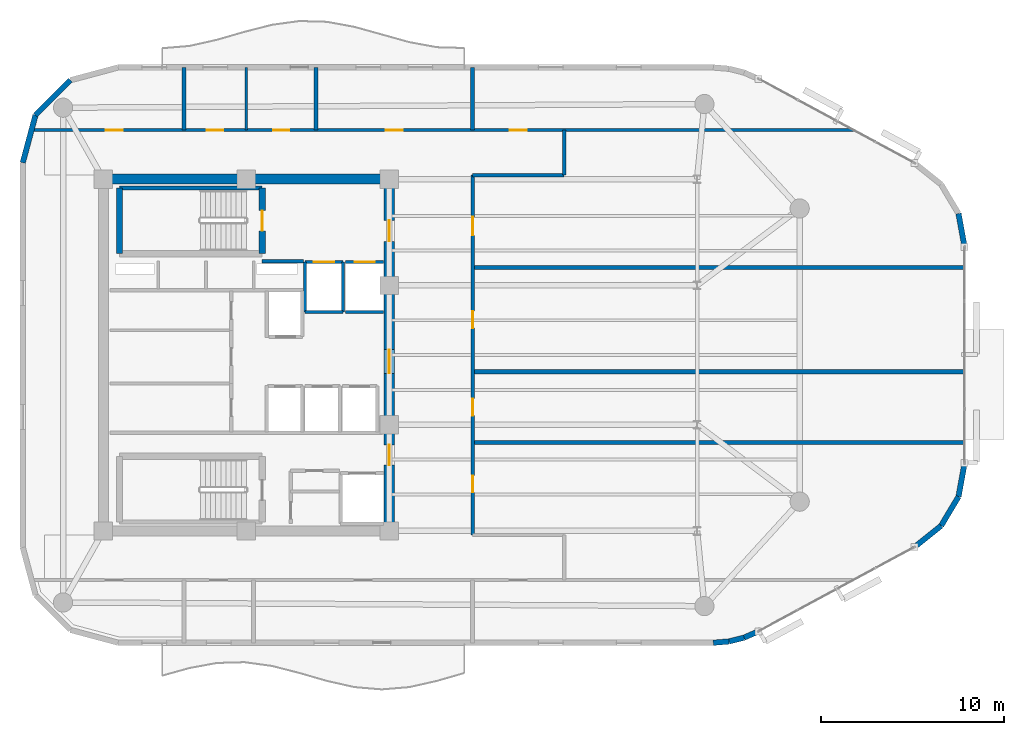
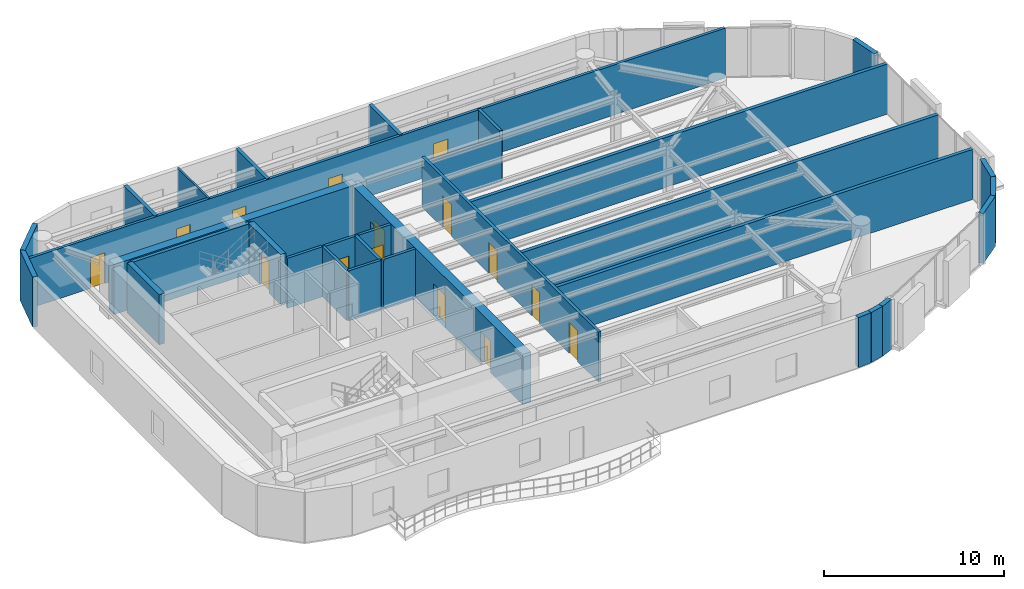
# One storey, part 10 of 13: 32 walls, 15 doors, 15 openings.
"""IFC4 building model written with IfcOpenShell, lengths in metres."""

from ifc_helpers import new_model, si_unit, direction, frame, frame_2d, origin, place, context, subcontext, project, spatial, rectangle, extrude, material, layer, layer_set, type_object, element, fill, save


model = new_model("IFC4")

# Units and contexts
model_context = context("Model", 3, precision=1e-05, world=origin(), true_north=direction((0.0, 1.0)))
body_context = subcontext(model_context, "Body", "Model", "MODEL_VIEW")
ifc_project = project(units=[si_unit("LENGTHUNIT", "METRE"), si_unit("AREAUNIT", "SQUARE_METRE"), si_unit("VOLUMEUNIT", "CUBIC_METRE"), si_unit("PLANEANGLEUNIT", "RADIAN"), si_unit("MASSUNIT", "GRAM", prefix="KILO")], contexts=[model_context])

# Site, building, storey
site_placement = place(None, origin())
site = spatial("IfcSite", under=ifc_project, at=site_placement, CompositionType="ELEMENT")
building_placement = place(site_placement, origin())
building = spatial("IfcBuilding", under=site, at=building_placement, Name="An Khanh Terracotta Commons", CompositionType="ELEMENT")
storey_placement = place(building_placement, frame((0.0, 0.0, 222.89990234375)))
storey = spatial("IfcBuildingStorey", under=building, at=storey_placement, Name="L58", CompositionType="ELEMENT", Elevation=222.89990234375)

# Wall
ifc_material_1 = material(Name="Concrete C50/60", Category="concrete")
ifc_layer_1 = layer(ifc_material_1, 0.550048828125, Name="Concrete C50/60")
ifc_layer_set_1 = layer_set([ifc_layer_1], Name="Concrete C50/60")
wall_type_1 = type_object("IfcWallType", Name="WALL-CORE-550", PredefinedType="SHEAR", material=ifc_layer_set_1)
wall_1_placement = place(storey_placement, frame((21.60009765625, 33.60009765625, 0.0), z_axis=(0.0, 0.0, 1.0), x_axis=(1.0, 0.0, 0.0)))
element("IfcWall", 1, at=wall_1_placement, inside=storey, type_object=wall_type_1, Name="L58 Core Wall CWALL-L58-N", PredefinedType="SHEAR", context=body_context, shape_type="SweptSolid", body=[
    extrude(rectangle(XDim=15.599853515625, YDim=0.550048828125, at=frame_2d((7.7998046875, 0.0))), origin(), (0.0, 0.0, 1.0), 3.400146484375),
])

# Wall, openings, doors
wall_2_placement = place(storey_placement, frame((37.199951171875, 14.39990234375, 0.0), z_axis=(0.0, 0.0, 1.0), x_axis=(0.0, 1.0, 0.0)))
wall_2 = element("IfcWall", 2, at=wall_2_placement, inside=storey, type_object=wall_type_1, Name="L58 Core Wall CWALL-L58-E", PredefinedType="SHEAR", context=body_context, shape_type="SweptSolid", body=[
    extrude(rectangle(XDim=19.2001953125, YDim=0.550048828125, at=frame_2d((9.60009765625, 0.0))), origin(), (0.0, 0.0, 1.0), 3.400146484375),
])
opening_1_placement = place(wall_2_placement, frame((15.800048828125, 0.0, 0.0)))
opening_1 = element("IfcOpeningElement", 3, at=opening_1_placement, cuts=wall_2, Name="Opening D-FFL", PredefinedType="OPENING", context=body_context, shape_type="SweptSolid", body=[
    extrude(rectangle(XDim=1.14990234375, YDim=2.14990234375, at=frame_2d((0.574951171875, 1.074951171875))), frame((0.0, 0.284912109375, 0.0), z_axis=(0.0, -1.0, 0.0), x_axis=(1.0, 0.0, 0.0)), (0.0, 0.0, 1.0), 0.570068359375),
])
opening_2_placement = place(wall_2_placement, frame((3.60009765625, 0.0, 0.0)))
opening_2 = element("IfcOpeningElement", 4, at=opening_2_placement, cuts=wall_2, Name="Opening D-ST", PredefinedType="OPENING", context=body_context, shape_type="SweptSolid", body=[
    extrude(rectangle(XDim=1.10009765625, YDim=2.14990234375, at=frame_2d((0.550048828125, 1.074951171875))), frame((0.0, 0.284912109375, 0.0), z_axis=(0.0, -1.0, 0.0), x_axis=(1.0, 0.0, 0.0)), (0.0, 0.0, 1.0), 0.570068359375),
])
opening_3_placement = place(wall_2_placement, frame((8.60009765625, 0.0, 0.0)))
opening_3 = element("IfcOpeningElement", 5, at=opening_3_placement, cuts=wall_2, Name="Opening D-COR", PredefinedType="OPENING", context=body_context, shape_type="SweptSolid", body=[
    extrude(rectangle(XDim=1.300048828125, YDim=2.199951171875, at=frame_2d((0.64990234375, 1.10009765625))), frame((0.0, 0.284912109375, 0.0), z_axis=(0.0, -1.0, 0.0), x_axis=(1.0, 0.0, 0.0)), (0.0, 0.0, 1.0), 0.570068359375),
])
ifc_material_2 = material(Name="Fire-Rated Glazed Steel Double Door", Category="steel")
door_type_1 = type_object("IfcDoorType", Name="DOOR-CORR-1300", OperationType="NOTDEFINED", PredefinedType="DOOR", material=ifc_material_2)
door_1_placement = place(opening_3_placement, origin())
door_1 = element("IfcDoor", 6, at=door_1_placement, inside=storey, type_object=door_type_1, Name="L58 Passenger Lift Lobby Double Door", OperationType="DOUBLE_DOOR_SINGLE_SWING", OverallHeight=2.199951171875, OverallWidth=1.300048828125, PredefinedType="DOOR", context=body_context, shape_type="SweptSolid", body=[
    extrude(rectangle(XDim=1.300048828125, YDim=2.199951171875, at=frame_2d((0.64990234375, 1.10009765625))), frame((0.0, 0.02490234375, 0.0), z_axis=(0.0, -1.0, 0.0), x_axis=(1.0, 0.0, 0.0)), (0.0, 0.0, 1.0), 0.050048828125),
])
fill(opening_3, door_1)
ifc_material_3 = material(Name="Fire-Rated Steel Leaf and Vision Panel", Category="steel")
door_type_2 = type_object("IfcDoorType", Name="DOOR-FFL-1150", OperationType="NOTDEFINED", PredefinedType="DOOR", material=ifc_material_3)
door_2_placement = place(opening_1_placement, origin())
door_2 = element("IfcDoor", 7, at=door_2_placement, inside=storey, type_object=door_type_2, Name="L58 Firefighting Lift Lobby Fire Door", OperationType="SINGLE_SWING_LEFT", OverallHeight=2.14990234375, OverallWidth=1.14990234375, PredefinedType="DOOR", context=body_context, shape_type="SweptSolid", body=[
    extrude(rectangle(XDim=1.14990234375, YDim=2.14990234375, at=frame_2d((0.574951171875, 1.074951171875))), frame((0.0, 0.02490234375, 0.0), z_axis=(0.0, -1.0, 0.0), x_axis=(1.0, 0.0, 0.0)), (0.0, 0.0, 1.0), 0.050048828125),
])
fill(opening_1, door_2)
ifc_material_4 = material(Name="Fire-Rated Steel Leaf and Frame", Category="steel")
door_type_3 = type_object("IfcDoorType", Name="DOOR-STAIR-1100", OperationType="NOTDEFINED", PredefinedType="DOOR", material=ifc_material_4)
door_3_placement = place(opening_2_placement, origin())
door_3 = element("IfcDoor", 8, at=door_3_placement, inside=storey, type_object=door_type_3, Name="L58 South Stair Lobby Fire Door", OperationType="SINGLE_SWING_RIGHT", OverallHeight=2.14990234375, OverallWidth=1.10009765625, PredefinedType="DOOR", context=body_context, shape_type="SweptSolid", body=[
    extrude(rectangle(XDim=1.10009765625, YDim=2.14990234375, at=frame_2d((0.550048828125, 1.074951171875))), frame((0.0, 0.02490234375, 0.0), z_axis=(0.0, -1.0, 0.0), x_axis=(1.0, 0.0, 0.0)), (0.0, 0.0, 1.0), 0.050048828125),
])
fill(opening_2, door_3)

# Wall
ifc_material_5 = material(Name="Fire-Rated Gypsum Board on Steel Stud", Category="steel")
ifc_layer_2 = layer(ifc_material_5, 0.179931640625, Name="Fire-Rated Gypsum Board on Steel Stud")
ifc_layer_set_2 = layer_set([ifc_layer_2], Name="Fire-Rated Gypsum Board on Steel Stud")
wall_type_2 = type_object("IfcWallType", Name="WALL-CORR-180", PredefinedType="PARTITIONING", material=ifc_layer_set_2)
wall_3_placement = place(storey_placement, frame((30.27001953125, 29.1201171875, 0.0), z_axis=(0.0, 0.0, 1.0), x_axis=(1.0, 0.0, 0.0)))
element("IfcWall", 9, at=wall_3_placement, inside=storey, type_object=wall_type_2, Name="L58 Core Wall FFLW-L58-S", PredefinedType="PARTITIONING", context=body_context, shape_type="SweptSolid", body=[
    extrude(rectangle(XDim=2.239990234375, YDim=0.179931640625, at=frame_2d((1.1201171875, 0.0))), origin(), (0.0, 0.0, 1.0), 3.400146484375),
])

# Wall, opening, door
wall_4_placement = place(storey_placement, frame((32.60009765625, 29.080078125, 0.0), z_axis=(0.0, 0.0, 1.0), x_axis=(1.0, 0.0, 0.0)))
wall_4 = element("IfcWall", 10, at=wall_4_placement, inside=storey, type_object=wall_type_2, Name="L58 Core Wall LSH-L58-FFL-01-N", PredefinedType="PARTITIONING", context=body_context, shape_type="SweptSolid", body=[
    extrude(rectangle(XDim=2.079833984375, YDim=0.179931640625, at=frame_2d((1.0400390625, 0.0))), origin(), (0.0, 0.0, 1.0), 3.400146484375),
])
opening_4_placement = place(wall_4_placement, frame((0.489990234375, 0.0, 0.0)))
opening_4 = element("IfcOpeningElement", 11, at=opening_4_placement, cuts=wall_4, Name="Opening LD-FFL-01-L58", PredefinedType="OPENING", context=body_context, shape_type="SweptSolid", body=[
    extrude(rectangle(XDim=1.10009765625, YDim=2.199951171875, at=frame_2d((0.550048828125, 1.10009765625))), frame((0.0, 0.099853515625, 0.0), z_axis=(0.0, -1.0, 0.0), x_axis=(1.0, 0.0, 0.0)), (0.0, 0.0, 1.0), 0.199951171875),
])
ifc_material_6 = material(Name="Brushed Stainless Steel Fire Landing Door", Category="steel")
door_type_4 = type_object("IfcDoorType", Name="DOOR-LD-FFL-1100", OperationType="NOTDEFINED", PredefinedType="DOOR", material=ifc_material_6)
door_4_placement = place(opening_4_placement, origin())
door_4 = element("IfcDoor", 12, at=door_4_placement, inside=storey, type_object=door_type_4, Name="L58 Lift FFL-01 Sliding Landing Door", OperationType="DOUBLE_DOOR_SLIDING", OverallHeight=2.199951171875, OverallWidth=1.10009765625, PredefinedType="DOOR", context=body_context, shape_type="SweptSolid", body=[
    extrude(rectangle(XDim=1.10009765625, YDim=2.199951171875, at=frame_2d((0.550048828125, 1.10009765625))), frame((0.0, 0.02490234375, 0.0), z_axis=(0.0, -1.0, 0.0), x_axis=(1.0, 0.0, 0.0)), (0.0, 0.0, 1.0), 0.050048828125),
])
fill(opening_4, door_4)

# Walls
wall_5_placement = place(storey_placement, frame((34.679931640625, 26.35009765625, 0.0), z_axis=(0.0, 0.0, 1.0), x_axis=(-1.0, 0.0, 0.0)))
element("IfcWall", 13, at=wall_5_placement, inside=storey, type_object=wall_type_2, Name="L58 Core Wall LSH-L58-FFL-01-S", PredefinedType="PARTITIONING", context=body_context, shape_type="SweptSolid", body=[
    extrude(rectangle(XDim=2.079833984375, YDim=0.179931640625, at=frame_2d((1.0400390625, 0.0))), origin(), (0.0, 0.0, 1.0), 3.400146484375),
])
for number, where, z_axis, x_axis, name in (
    (14, (34.679931640625, 26.35009765625, 0.0), (0.0, 0.0, 1.0), (0.0, 1.0, 0.0), "L58 Core Wall LSH-L58-FFL-01-E"),
    (15, (32.60009765625, 29.080078125, 0.0), (0.0, 0.0, 1.0), (0.0, -1.0, 0.0), "L58 Core Wall LSH-L58-FFL-01-W"),
):
    element("IfcWall", number, at=place(storey_placement, frame(where, z_axis=z_axis, x_axis=x_axis)), inside=storey, type_object=wall_type_2, Name=name, PredefinedType="PARTITIONING", context=body_context, shape_type="SweptSolid", body=[
        extrude(rectangle(XDim=2.72998046875, YDim=0.179931640625, at=frame_2d((1.364990234375, 0.0))), origin(), (0.0, 0.0, 1.0), 3.400146484375),
    ])

# Wall, opening, door
wall_6_placement = place(storey_placement, frame((34.820068359375, 29.080078125, 0.0), z_axis=(0.0, 0.0, 1.0), x_axis=(1.0, 0.0, 0.0)))
wall_6 = element("IfcWall", 16, at=wall_6_placement, inside=storey, type_object=wall_type_2, Name="L58 Core Wall LSH-L58-FFL-02-N", PredefinedType="PARTITIONING", context=body_context, shape_type="SweptSolid", body=[
    extrude(rectangle(XDim=2.079833984375, YDim=0.179931640625, at=frame_2d((1.0400390625, 0.0))), origin(), (0.0, 0.0, 1.0), 3.400146484375),
])
opening_5_placement = place(wall_6_placement, frame((0.489990234375, 0.0, 0.0)))
opening_5 = element("IfcOpeningElement", 17, at=opening_5_placement, cuts=wall_6, Name="Opening LD-FFL-02-L58", PredefinedType="OPENING", context=body_context, shape_type="SweptSolid", body=[
    extrude(rectangle(XDim=1.10009765625, YDim=2.199951171875, at=frame_2d((0.550048828125, 1.10009765625))), frame((0.0, 0.099853515625, 0.0), z_axis=(0.0, -1.0, 0.0), x_axis=(1.0, 0.0, 0.0)), (0.0, 0.0, 1.0), 0.199951171875),
])
door_5_placement = place(opening_5_placement, origin())
door_5 = element("IfcDoor", 18, at=door_5_placement, inside=storey, type_object=door_type_4, Name="L58 Lift FFL-02 Sliding Landing Door", OperationType="DOUBLE_DOOR_SLIDING", OverallHeight=2.199951171875, OverallWidth=1.10009765625, PredefinedType="DOOR", context=body_context, shape_type="SweptSolid", body=[
    extrude(rectangle(XDim=1.10009765625, YDim=2.199951171875, at=frame_2d((0.550048828125, 1.10009765625))), frame((0.0, 0.02490234375, 0.0), z_axis=(0.0, -1.0, 0.0), x_axis=(1.0, 0.0, 0.0)), (0.0, 0.0, 1.0), 0.050048828125),
])
fill(opening_5, door_5)

# Walls
wall_7_placement = place(storey_placement, frame((36.89990234375, 26.35009765625, 0.0), z_axis=(0.0, 0.0, 1.0), x_axis=(-1.0, 0.0, 0.0)))
element("IfcWall", 19, at=wall_7_placement, inside=storey, type_object=wall_type_2, Name="L58 Core Wall LSH-L58-FFL-02-S", PredefinedType="PARTITIONING", context=body_context, shape_type="SweptSolid", body=[
    extrude(rectangle(XDim=2.079833984375, YDim=0.179931640625, at=frame_2d((1.0400390625, 0.0))), origin(), (0.0, 0.0, 1.0), 3.400146484375),
])
wall_8_placement = place(storey_placement, frame((41.75, 33.820068359375, 0.0), z_axis=(0.0, 0.0, 1.0), x_axis=(1.0, 0.0, 0.0)))
element("IfcWall", 20, at=wall_8_placement, inside=storey, type_object=wall_type_2, Name="L58 Interior Partition IW-L58-E006", PredefinedType="PARTITIONING", context=body_context, shape_type="SweptSolid", body=[
    extrude(rectangle(XDim=5.0, YDim=0.179931640625, at=frame_2d((2.5, 0.0))), origin(), (0.0, 0.0, 1.0), 2.982177734375),
])

# Wall, openings, doors
wall_9_placement = place(storey_placement, frame((17.677001953125, 36.280029296875, 0.0), z_axis=(0.0, 0.0, 1.0), x_axis=(1.0, 0.0, 0.0)))
wall_9 = element("IfcWall", 21, at=wall_9_placement, inside=storey, type_object=wall_type_2, Name="L58 Interior Partition IW-L58-E007", PredefinedType="PARTITIONING", context=body_context, shape_type="SweptSolid", body=[
    extrude(rectangle(XDim=44.85302734375, YDim=0.179931640625, at=frame_2d((22.426513671875, 0.0))), origin(), (0.0, 0.0, 1.0), 3.400146484375),
])
opening_6_placement = place(wall_9_placement, frame((9.572998046875, 0.0, 0.0)))
opening_6 = element("IfcOpeningElement", 22, at=opening_6_placement, cuts=wall_9, Name="Opening D-WC", PredefinedType="OPENING", context=body_context, shape_type="SweptSolid", body=[
    extrude(rectangle(XDim=0.89990234375, YDim=2.10009765625, at=frame_2d((0.449951171875, 1.050048828125))), frame((0.0, 0.099853515625, 0.0), z_axis=(0.0, -1.0, 0.0), x_axis=(1.0, 0.0, 0.0)), (0.0, 0.0, 1.0), 0.199951171875),
])
opening_7_placement = place(wall_9_placement, frame((13.193115234375, 0.0, 0.0)))
opening_7 = element("IfcOpeningElement", 23, at=opening_7_placement, cuts=wall_9, Name="Opening D-ENS", PredefinedType="OPENING", context=body_context, shape_type="SweptSolid", body=[
    extrude(rectangle(XDim=0.860107421875, YDim=2.10009765625, at=frame_2d((0.43017578125, 1.050048828125))), frame((0.0, 0.099853515625, 0.0), z_axis=(0.0, -1.0, 0.0), x_axis=(1.0, 0.0, 0.0)), (0.0, 0.0, 1.0), 0.199951171875),
])
opening_8_placement = place(wall_9_placement, frame((26.113037109375, 0.0, 0.0)))
opening_8 = element("IfcOpeningElement", 24, at=opening_8_placement, cuts=wall_9, Name="Opening D-RM", PredefinedType="OPENING", context=body_context, shape_type="SweptSolid", body=[
    extrude(rectangle(XDim=0.919921875, YDim=2.10009765625, at=frame_2d((0.4599609375, 1.050048828125))), frame((0.0, 0.099853515625, 0.0), z_axis=(0.0, -1.0, 0.0), x_axis=(1.0, 0.0, 0.0)), (0.0, 0.0, 1.0), 0.199951171875),
])
opening_9_placement = place(wall_9_placement, frame((4.06298828125, 0.0, 0.0)))
opening_9 = element("IfcOpeningElement", 25, at=opening_9_placement, cuts=wall_9, Name="Opening D-RM", PredefinedType="OPENING", context=body_context, shape_type="SweptSolid", body=[
    extrude(rectangle(XDim=0.919921875, YDim=2.10009765625, at=frame_2d((0.4599609375, 1.050048828125))), frame((0.0, 0.099853515625, 0.0), z_axis=(0.0, -1.0, 0.0), x_axis=(1.0, 0.0, 0.0)), (0.0, 0.0, 1.0), 0.199951171875),
])
opening_10_placement = place(wall_9_placement, frame((19.337890625, 0.0, 0.0)))
opening_10 = element("IfcOpeningElement", 26, at=opening_10_placement, cuts=wall_9, Name="Opening D-RM", PredefinedType="OPENING", context=body_context, shape_type="SweptSolid", body=[
    extrude(rectangle(XDim=0.919921875, YDim=2.10009765625, at=frame_2d((0.4599609375, 1.050048828125))), frame((0.0, 0.099853515625, 0.0), z_axis=(0.0, -1.0, 0.0), x_axis=(1.0, 0.0, 0.0)), (0.0, 0.0, 1.0), 0.199951171875),
])
ifc_material_7 = material(Name="Moisture-Resistant Hardwood Timber Leaf", Category="wood")
door_type_5 = type_object("IfcDoorType", Name="DOOR-BATH-860", OperationType="NOTDEFINED", PredefinedType="DOOR", material=ifc_material_7)
door_6_placement = place(opening_7_placement, origin())
door_6 = element("IfcDoor", 27, at=door_6_placement, inside=storey, type_object=door_type_5, Name="L58 SHW Resident Shared Shower and Washroom Door", OperationType="SINGLE_SWING_LEFT", OverallHeight=2.10009765625, OverallWidth=0.860107421875, PredefinedType="DOOR", context=body_context, shape_type="SweptSolid", body=[
    extrude(rectangle(XDim=0.860107421875, YDim=2.10009765625, at=frame_2d((0.43017578125, 1.050048828125))), frame((0.0, 0.02490234375, 0.0), z_axis=(0.0, -1.0, 0.0), x_axis=(1.0, 0.0, 0.0)), (0.0, 0.0, 1.0), 0.050048828125),
])
fill(opening_7, door_6)
ifc_material_8 = material(Name="Engineered Hardwood Timber Leaf", Category="wood")
door_type_6 = type_object("IfcDoorType", Name="DOOR-INT-920", OperationType="NOTDEFINED", PredefinedType="DOOR", material=ifc_material_8)
door_7_placement = place(opening_8_placement, origin())
door_7 = element("IfcDoor", 28, at=door_7_placement, inside=storey, type_object=door_type_6, Name="L58 FANN Quiet Focus Office Door", OperationType="SINGLE_SWING_LEFT", OverallHeight=2.10009765625, OverallWidth=0.919921875, PredefinedType="DOOR", context=body_context, shape_type="SweptSolid", body=[
    extrude(rectangle(XDim=0.919921875, YDim=2.10009765625, at=frame_2d((0.4599609375, 1.050048828125))), frame((0.0, 0.02490234375, 0.0), z_axis=(0.0, -1.0, 0.0), x_axis=(1.0, 0.0, 0.0)), (0.0, 0.0, 1.0), 0.050048828125),
])
fill(opening_8, door_7)
door_8_placement = place(opening_9_placement, origin())
door_8 = element("IfcDoor", 29, at=door_8_placement, inside=storey, type_object=door_type_6, Name="L58 NW1 Collaborative Co-Working Office Door", OperationType="SINGLE_SWING_LEFT", OverallHeight=2.10009765625, OverallWidth=0.919921875, PredefinedType="DOOR", context=body_context, shape_type="SweptSolid", body=[
    extrude(rectangle(XDim=0.919921875, YDim=2.10009765625, at=frame_2d((0.4599609375, 1.050048828125))), frame((0.0, 0.02490234375, 0.0), z_axis=(0.0, -1.0, 0.0), x_axis=(1.0, 0.0, 0.0)), (0.0, 0.0, 1.0), 0.050048828125),
])
fill(opening_9, door_8)
door_9_placement = place(opening_10_placement, origin())
door_9 = element("IfcDoor", 30, at=door_9_placement, inside=storey, type_object=door_type_6, Name="L58 NWE Collaborative Co-Working Office Door", OperationType="SINGLE_SWING_RIGHT", OverallHeight=2.10009765625, OverallWidth=0.919921875, PredefinedType="DOOR", context=body_context, shape_type="SweptSolid", body=[
    extrude(rectangle(XDim=0.919921875, YDim=2.10009765625, at=frame_2d((0.4599609375, 1.050048828125))), frame((0.0, 0.02490234375, 0.0), z_axis=(0.0, -1.0, 0.0), x_axis=(1.0, 0.0, 0.0)), (0.0, 0.0, 1.0), 0.050048828125),
])
fill(opening_10, door_9)
ifc_material_9 = material(Name="Laminate Moisture-Resistant Timber Leaf", Category="wood")
door_type_7 = type_object("IfcDoorType", Name="DOOR-WC-900", OperationType="NOTDEFINED", PredefinedType="DOOR", material=ifc_material_9)
door_10_placement = place(opening_6_placement, origin())
door_10 = element("IfcDoor", 31, at=door_10_placement, inside=storey, type_object=door_type_7, Name="L58 AWC Accessible WC Door", OperationType="SINGLE_SWING_RIGHT", OverallHeight=2.10009765625, OverallWidth=0.89990234375, PredefinedType="DOOR", context=body_context, shape_type="SweptSolid", body=[
    extrude(rectangle(XDim=0.89990234375, YDim=2.10009765625, at=frame_2d((0.449951171875, 1.050048828125))), frame((0.0, 0.02490234375, 0.0), z_axis=(0.0, -1.0, 0.0), x_axis=(1.0, 0.0, 0.0)), (0.0, 0.0, 1.0), 0.050048828125),
])
fill(opening_6, door_10)

wall_10_placement = place(storey_placement, frame((41.75, 14.179931640625, 0.0), z_axis=(0.0, 0.0, 1.0), x_axis=(0.0, 1.0, 0.0)))
wall_10 = element("IfcWall", 32, at=wall_10_placement, inside=storey, type_object=wall_type_2, Name="L58 Interior Partition IW-L58-E014", PredefinedType="PARTITIONING", context=body_context, shape_type="SweptSolid", body=[
    extrude(rectangle(XDim=19.64013671875, YDim=0.179931640625, at=frame_2d((9.820068359375, 0.0))), origin(), (0.0, 0.0, 1.0), 3.400146484375),
])
opening_11_placement = place(wall_10_placement, frame((2.322021484375, 0.0, 0.0)))
opening_11 = element("IfcOpeningElement", 33, at=opening_11_placement, cuts=wall_10, Name="Opening D-RM", PredefinedType="OPENING", context=body_context, shape_type="SweptSolid", body=[
    extrude(rectangle(XDim=0.919921875, YDim=2.10009765625, at=frame_2d((0.4599609375, 1.050048828125))), frame((0.0, 0.099853515625, 0.0), z_axis=(0.0, -1.0, 0.0), x_axis=(1.0, 0.0, 0.0)), (0.0, 0.0, 1.0), 0.199951171875),
])
opening_12_placement = place(wall_10_placement, frame((6.51708984375, 0.0, 0.0)))
opening_12 = element("IfcOpeningElement", 34, at=opening_12_placement, cuts=wall_10, Name="Opening D-RM", PredefinedType="OPENING", context=body_context, shape_type="SweptSolid", body=[
    extrude(rectangle(XDim=0.919921875, YDim=2.10009765625, at=frame_2d((0.4599609375, 1.050048828125))), frame((0.0, 0.099853515625, 0.0), z_axis=(0.0, -1.0, 0.0), x_axis=(1.0, 0.0, 0.0)), (0.0, 0.0, 1.0), 0.199951171875),
])
opening_13_placement = place(wall_10_placement, frame((11.29296875, 0.0, 0.0)))
opening_13 = element("IfcOpeningElement", 35, at=opening_13_placement, cuts=wall_10, Name="Opening D-RM", PredefinedType="OPENING", context=body_context, shape_type="SweptSolid", body=[
    extrude(rectangle(XDim=0.919921875, YDim=2.10009765625, at=frame_2d((0.4599609375, 1.050048828125))), frame((0.0, 0.099853515625, 0.0), z_axis=(0.0, -1.0, 0.0), x_axis=(1.0, 0.0, 0.0)), (0.0, 0.0, 1.0), 0.199951171875),
])
opening_14_placement = place(wall_10_placement, frame((16.35791015625, 0.0, 0.0)))
opening_14 = element("IfcOpeningElement", 36, at=opening_14_placement, cuts=wall_10, Name="Opening D-UN", PredefinedType="OPENING", context=body_context, shape_type="SweptSolid", body=[
    extrude(rectangle(XDim=1.0, YDim=2.14990234375, at=frame_2d((0.5, 1.074951171875))), frame((0.0, 0.099853515625, 0.0), z_axis=(0.0, -1.0, 0.0), x_axis=(1.0, 0.0, 0.0)), (0.0, 0.0, 1.0), 0.199951171875),
])
door_11_placement = place(opening_11_placement, origin())
door_11 = element("IfcDoor", 37, at=door_11_placement, inside=storey, type_object=door_type_6, Name="L58 FAN1 Collaborative Co-Working Office Door", OperationType="SINGLE_SWING_LEFT", OverallHeight=2.10009765625, OverallWidth=0.919921875, PredefinedType="DOOR", context=body_context, shape_type="SweptSolid", body=[
    extrude(rectangle(XDim=0.919921875, YDim=2.10009765625, at=frame_2d((0.4599609375, 1.050048828125))), frame((0.0, 0.02490234375, 0.0), z_axis=(0.0, -1.0, 0.0), x_axis=(1.0, 0.0, 0.0)), (0.0, 0.0, 1.0), 0.050048828125),
])
fill(opening_11, door_11)
door_12_placement = place(opening_12_placement, origin())
door_12 = element("IfcDoor", 38, at=door_12_placement, inside=storey, type_object=door_type_6, Name="L58 FAN2 Collaborative Co-Working Office Door", OperationType="SINGLE_SWING_RIGHT", OverallHeight=2.10009765625, OverallWidth=0.919921875, PredefinedType="DOOR", context=body_context, shape_type="SweptSolid", body=[
    extrude(rectangle(XDim=0.919921875, YDim=2.10009765625, at=frame_2d((0.4599609375, 1.050048828125))), frame((0.0, 0.02490234375, 0.0), z_axis=(0.0, -1.0, 0.0), x_axis=(1.0, 0.0, 0.0)), (0.0, 0.0, 1.0), 0.050048828125),
])
fill(opening_12, door_12)
door_13_placement = place(opening_13_placement, origin())
door_13 = element("IfcDoor", 39, at=door_13_placement, inside=storey, type_object=door_type_6, Name="L58 FAN3 Collaborative Co-Working Office Door", OperationType="SINGLE_SWING_LEFT", OverallHeight=2.10009765625, OverallWidth=0.919921875, PredefinedType="DOOR", context=body_context, shape_type="SweptSolid", body=[
    extrude(rectangle(XDim=0.919921875, YDim=2.10009765625, at=frame_2d((0.4599609375, 1.050048828125))), frame((0.0, 0.02490234375, 0.0), z_axis=(0.0, -1.0, 0.0), x_axis=(1.0, 0.0, 0.0)), (0.0, 0.0, 1.0), 0.050048828125),
])
fill(opening_13, door_13)
ifc_material_10 = material(Name="Solid-Core Hardwood Acoustic Fire Door", Category="wood")
door_type_8 = type_object("IfcDoorType", Name="DOOR-UNIT-1000", OperationType="NOTDEFINED", PredefinedType="DOOR", material=ifc_material_10)
door_14_placement = place(opening_14_placement, origin())
door_14 = element("IfcDoor", 40, at=door_14_placement, inside=storey, type_object=door_type_8, Name="L58 FAN4 Yoga Wellness Studio Door", OperationType="SINGLE_SWING_RIGHT", OverallHeight=2.14990234375, OverallWidth=1.0, PredefinedType="DOOR", context=body_context, shape_type="SweptSolid", body=[
    extrude(rectangle(XDim=1.0, YDim=2.14990234375, at=frame_2d((0.5, 1.074951171875))), frame((0.0, 0.02490234375, 0.0), z_axis=(0.0, -1.0, 0.0), x_axis=(1.0, 0.0, 0.0)), (0.0, 0.0, 1.0), 0.050048828125),
])
fill(opening_14, door_14)

# Walls
wall_11_placement = place(storey_placement, frame((46.75, 33.820068359375, 0.0), z_axis=(0.0, 0.0, 1.0), x_axis=(0.0, 1.0, 0.0)))
element("IfcWall", 41, at=wall_11_placement, inside=storey, type_object=wall_type_2, Name="L58 Interior Partition IW-L58-E017", PredefinedType="PARTITIONING", context=body_context, shape_type="SweptSolid", body=[
    extrude(rectangle(XDim=2.4599609375, YDim=0.179931640625, at=frame_2d((1.22998046875, 0.0))), origin(), (0.0, 0.0, 1.0), 3.400146484375),
])
ifc_material_11 = material(Name="Precast concrete C40/50", Category="concrete")
ifc_layer_3 = layer(ifc_material_11, 0.300048828125, Name="Precast concrete C40/50")
ifc_layer_set_3 = layer_set([ifc_layer_3], Name="Precast concrete C40/50")
wall_type_3 = type_object("IfcWallType", Name="WALL-EXT-300", PredefinedType="SOLIDWALL", material=ifc_layer_set_3)
wall_12_placement = place(storey_placement, frame((54.885009765625, 8.300048828125, 0.0), z_axis=(0.0, 0.0, 1.0), x_axis=(0.996565355958, 0.082809971041, 0.0)))
element("IfcWall", 42, at=wall_12_placement, inside=storey, type_object=wall_type_3, Name="L58 Insulated Terracotta Exterior Wall 5", PredefinedType="SOLIDWALL", context=body_context, shape_type="SweptSolid", body=[
    extrude(rectangle(XDim=0.85791015625, YDim=0.300048828125, at=frame_2d((0.428955078125, 0.0))), origin(), (0.0, 0.0, 1.0), 3.400146484375),
])
wall_13_placement = place(storey_placement, frame((55.739990234375, 8.37109375, 0.0), z_axis=(0.0, 0.0, 1.0), x_axis=(0.969536346338, 0.244947490555, 0.0)))
element("IfcWall", 43, at=wall_13_placement, inside=storey, type_object=wall_type_3, Name="L58 Insulated Terracotta Exterior Wall 6", PredefinedType="SOLIDWALL", context=body_context, shape_type="SweptSolid", body=[
    extrude(rectangle(XDim=0.857177734375, YDim=0.300048828125, at=frame_2d((0.4287109375, 0.0))), origin(), (0.0, 0.0, 1.0), 3.400146484375),
])
wall_14_placement = place(storey_placement, frame((56.571044921875, 8.5810546875, 0.0), z_axis=(0.0, 0.0, 1.0), x_axis=(0.916085473636, 0.400983048261, 0.0)))
element("IfcWall", 44, at=wall_14_placement, inside=storey, type_object=wall_type_3, Name="L58 Insulated Terracotta Exterior Wall 7", PredefinedType="SOLIDWALL", context=body_context, shape_type="SweptSolid", body=[
    extrude(rectangle(XDim=0.85791015625, YDim=0.300048828125, at=frame_2d((0.428955078125, 0.0))), origin(), (0.0, 0.0, 1.0), 3.400146484375),
])
wall_15_placement = place(storey_placement, frame((65.8720703125, 13.52587890625, 0.0), z_axis=(0.0, 0.0, 1.0), x_axis=(0.780920189257, 0.624630817372, 0.0)))
element("IfcWall", 45, at=wall_15_placement, inside=storey, type_object=wall_type_3, Name="L58 Insulated Terracotta Exterior Wall 9", PredefinedType="SOLIDWALL", context=body_context, shape_type="SweptSolid", body=[
    extrude(rectangle(XDim=1.854248046875, YDim=0.300048828125, at=frame_2d((0.92724609375, 0.0))), origin(), (0.0, 0.0, 1.0), 3.400146484375),
])
wall_16_placement = place(storey_placement, frame((67.320068359375, 14.68408203125, 0.0), z_axis=(0.0, 0.0, 1.0), x_axis=(0.512072018927, 0.858942516955, 0.0)))
element("IfcWall", 46, at=wall_16_placement, inside=storey, type_object=wall_type_3, Name="L58 Insulated Terracotta Exterior Wall 10", PredefinedType="SOLIDWALL", context=body_context, shape_type="SweptSolid", body=[
    extrude(rectangle(XDim=1.853271484375, YDim=0.300048828125, at=frame_2d((0.9267578125, 0.0))), origin(), (0.0, 0.0, 1.0), 3.400146484375),
])
for number, where, z_axis, x_axis, name in (
    (47, (68.26904296875, 16.27587890625, 0.0), (0.0, 0.0, 1.0), (0.178468469252, 0.983945631365, 0.0), "L58 Insulated Terracotta Exterior Wall 11"),
    (48, (68.60009765625, 29.89892578125, 0.0), (0.0, 0.0, 1.0), (-0.178468469252, 0.983945631365, 0.0), "L58 Insulated Terracotta Exterior Wall 13"),
):
    element("IfcWall", number, at=place(storey_placement, frame(where, z_axis=z_axis, x_axis=x_axis)), inside=storey, type_object=wall_type_3, Name=name, PredefinedType="SOLIDWALL", context=body_context, shape_type="SweptSolid", body=[
        extrude(rectangle(XDim=1.85498046875, YDim=0.300048828125, at=frame_2d((0.927490234375, 0.0))), origin(), (0.0, 0.0, 1.0), 3.400146484375),
    ])
wall_17_placement = place(storey_placement, frame((19.800048828125, 39.0029296875, 0.0), z_axis=(0.0, 0.0, 1.0), x_axis=(-0.707152139074, -0.70706142039, 0.0)))
element("IfcWall", 49, at=wall_17_placement, inside=storey, type_object=wall_type_3, Name="L58 Insulated Terracotta Exterior Wall 22", PredefinedType="SOLIDWALL", context=body_context, shape_type="SweptSolid", body=[
    extrude(rectangle(XDim=2.691162109375, YDim=0.300048828125, at=frame_2d((1.345703125, 0.0))), origin(), (0.0, 0.0, 1.0), 3.400146484375),
])
wall_18_placement = place(storey_placement, frame((17.89697265625, 37.10009765625, 0.0), z_axis=(0.0, 0.0, 1.0), x_axis=(-0.258932525951, -0.965895412042, 0.0)))
element("IfcWall", 50, at=wall_18_placement, inside=storey, type_object=wall_type_3, Name="L58 Insulated Terracotta Exterior Wall 23", PredefinedType="SOLIDWALL", context=body_context, shape_type="SweptSolid", body=[
    extrude(rectangle(XDim=2.69189453125, YDim=0.300048828125, at=frame_2d((1.345947265625, 0.0))), origin(), (0.0, 0.0, 1.0), 3.400146484375),
])
ifc_material_12 = material(Name="Acoustic Double-Stud Gypsum and Mineral Wool")
ifc_layer_4 = layer(ifc_material_12, 0.219970703125, Name="Acoustic Double-Stud Gypsum and Mineral Wool")
ifc_layer_set_4 = layer_set([ifc_layer_4], Name="Acoustic Double-Stud Gypsum and Mineral Wool")
wall_type_4 = type_object("IfcWallType", Name="WALL-PARTY-220", PredefinedType="PARTITIONING", material=ifc_layer_set_4)
wall_19_placement = place(storey_placement, frame((22.47998046875, 33.110107421875, 0.0), z_axis=(0.0, 0.0, 1.0), x_axis=(1.0, 0.0, 0.0)))
element("IfcWall", 51, at=wall_19_placement, inside=storey, type_object=wall_type_4, Name="L58 Core Wall STW-L58-N-N", PredefinedType="PARTITIONING", context=body_context, shape_type="SweptSolid", body=[
    extrude(rectangle(XDim=7.7900390625, YDim=0.219970703125, at=frame_2d((3.89501953125, 0.0))), origin(), (0.0, 0.0, 1.0), 3.400146484375),
])
for number, where, z_axis, x_axis, name in (
    (52, (41.75, 19.22412109375, 0.0), (0.0, 0.0, 1.0), (1.0, 0.0, 0.0), "L58 Interior Partition IW-L58-E003"),
    (53, (41.75, 23.090087890625, 0.0), (0.0, 0.0, 1.0), (1.0, 0.0, 0.0), "L58 Interior Partition IW-L58-E004"),
    (54, (41.75, 28.77587890625, 0.0), (0.0, 0.0, 1.0), (1.0, 0.0, 0.0), "L58 Interior Partition IW-L58-E005"),
):
    element("IfcWall", number, at=place(storey_placement, frame(where, z_axis=z_axis, x_axis=x_axis)), inside=storey, type_object=wall_type_4, Name=name, PredefinedType="PARTITIONING", context=body_context, shape_type="SweptSolid", body=[
        extrude(rectangle(XDim=26.85009765625, YDim=0.219970703125, at=frame_2d((13.425048828125, 0.0))), origin(), (0.0, 0.0, 1.0), 3.400146484375),
    ])
for number, where, z_axis, x_axis, name in (
    (55, (26.0, 36.280029296875, 0.0), (0.0, 0.0, 1.0), (0.0, 1.0, 0.0), "L58 Interior Partition IW-L58-E009"),
    (56, (33.199951171875, 36.280029296875, 0.0), (0.0, 0.0, 1.0), (0.0, 1.0, 0.0), "L58 Interior Partition IW-L58-E012"),
    (57, (41.75, 36.280029296875, 0.0), (0.0, 0.0, 1.0), (0.0, 1.0, 0.0), "L58 Interior Partition IW-L58-E015"),
):
    element("IfcWall", number, at=place(storey_placement, frame(where, z_axis=z_axis, x_axis=x_axis)), inside=storey, type_object=wall_type_4, Name=name, PredefinedType="PARTITIONING", context=body_context, shape_type="SweptSolid", body=[
        extrude(rectangle(XDim=3.419921875, YDim=0.219970703125, at=frame_2d((1.7099609375, 0.0))), origin(), (0.0, 0.0, 1.0), 3.400146484375),
    ])
ifc_layer_5 = layer(ifc_material_1, 0.35009765625, Name="Concrete C50/60")
ifc_layer_set_5 = layer_set([ifc_layer_5], Name="Concrete C50/60")
wall_type_5 = type_object("IfcWallType", Name="WALL-SHAFT-350", PredefinedType="SOLIDWALL", material=ifc_layer_set_5)
wall_20_placement = place(storey_placement, frame((22.47998046875, 29.530029296875, 0.0), z_axis=(0.0, 0.0, 1.0), x_axis=(0.0, 1.0, 0.0)))
element("IfcWall", 58, at=wall_20_placement, inside=storey, type_object=wall_type_5, Name="L58 Core Wall STW-L58-N-W", PredefinedType="SOLIDWALL", context=body_context, shape_type="SweptSolid", body=[
    extrude(rectangle(XDim=3.580078125, YDim=0.35009765625, at=frame_2d((1.7900390625, 0.0))), origin(), (0.0, 0.0, 1.0), 3.400146484375),
])

# Wall, opening, door
wall_21_placement = place(storey_placement, frame((30.27001953125, 29.530029296875, 0.0), z_axis=(0.0, 0.0, 1.0), x_axis=(0.0, 1.0, 0.0)))
wall_21 = element("IfcWall", 59, at=wall_21_placement, inside=storey, type_object=wall_type_5, Name="L58 Core Wall STW-L58-N-E", PredefinedType="SOLIDWALL", context=body_context, shape_type="SweptSolid", body=[
    extrude(rectangle(XDim=3.580078125, YDim=0.35009765625, at=frame_2d((1.7900390625, 0.0))), origin(), (0.0, 0.0, 1.0), 3.400146484375),
])
opening_15_placement = place(wall_21_placement, frame((1.25, 0.0, 0.0)))
opening_15 = element("IfcOpeningElement", 60, at=opening_15_placement, cuts=wall_21, Name="Opening D-ST", PredefinedType="OPENING", context=body_context, shape_type="SweptSolid", body=[
    extrude(rectangle(XDim=1.10009765625, YDim=2.14990234375, at=frame_2d((0.550048828125, 1.074951171875))), frame((0.0, 0.18505859375, 0.0), z_axis=(0.0, -1.0, 0.0), x_axis=(1.0, 0.0, 0.0)), (0.0, 0.0, 1.0), 0.3701171875),
])
door_15_placement = place(opening_15_placement, origin())
door_15 = element("IfcDoor", 61, at=door_15_placement, inside=storey, type_object=door_type_3, Name="L58 Stair ST-01 Fire Door", OperationType="SINGLE_SWING_LEFT", OverallHeight=2.14990234375, OverallWidth=1.10009765625, PredefinedType="DOOR", context=body_context, shape_type="SweptSolid", body=[
    extrude(rectangle(XDim=1.10009765625, YDim=2.14990234375, at=frame_2d((0.550048828125, 1.074951171875))), frame((0.0, 0.02490234375, 0.0), z_axis=(0.0, -1.0, 0.0), x_axis=(1.0, 0.0, 0.0)), (0.0, 0.0, 1.0), 0.050048828125),
])
fill(opening_15, door_15)

# Wall
ifc_material_13 = material(Name="Moisture-Resistant Cement Board Partition")
ifc_layer_6 = layer(ifc_material_13, 0.1201171875, Name="Moisture-Resistant Cement Board Partition")
ifc_layer_set_6 = layer_set([ifc_layer_6], Name="Moisture-Resistant Cement Board Partition")
wall_type_6 = type_object("IfcWallType", Name="WALL-WET-120", PredefinedType="PARTITIONING", material=ifc_layer_set_6)
wall_22_placement = place(storey_placement, frame((29.39990234375, 36.280029296875, 0.0), z_axis=(0.0, 0.0, 1.0), x_axis=(0.0, 1.0, 0.0)))
element("IfcWall", 62, at=wall_22_placement, inside=storey, type_object=wall_type_6, Name="L58 Interior Partition IW-L58-E010", PredefinedType="PARTITIONING", context=body_context, shape_type="SweptSolid", body=[
    extrude(rectangle(XDim=3.419921875, YDim=0.1201171875, at=frame_2d((1.7099609375, 0.0))), origin(), (0.0, 0.0, 1.0), 3.400146484375),
])

save(model, "model.ifc")
